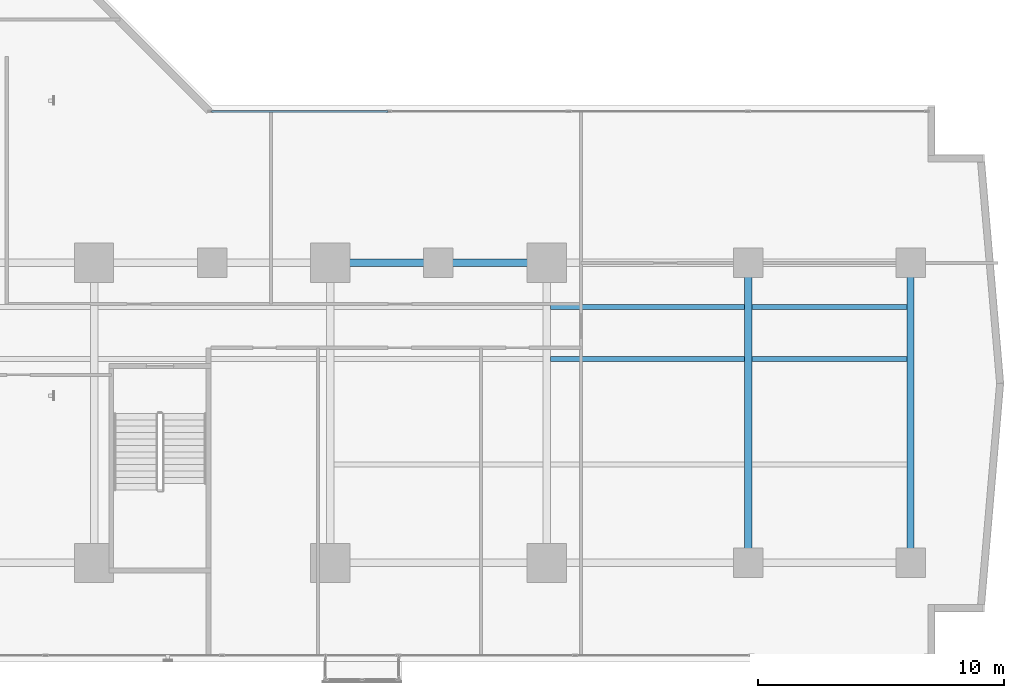
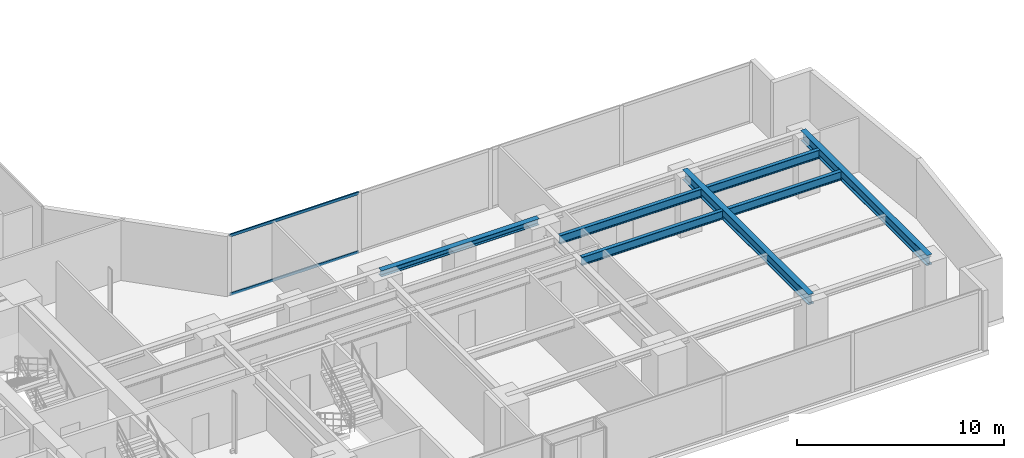
# One storey, part 12 of 30: 7 beams, 2 members, 1 element without a shape of its own.
"""IFC4 building model written with IfcOpenShell, lengths in metres."""

from ifc_helpers import new_model, si_unit, direction, frame, origin, origin_with_axes, origin_2d, place, context, subcontext, project, spatial, hollow_rectangle, i_section, extrude, source, transform, mapped, material, layer, layer_set, material_profile, profile_set, type_object, element, aggregate, save


model = new_model("IFC4")

# Units and contexts
model_context = context("Model", 3, precision=1e-05, world=origin(), true_north=direction((0.0, 1.0)))
body_context = subcontext(model_context, "Body", "Model", "MODEL_VIEW")
ifc_project = project(units=[si_unit("LENGTHUNIT", "METRE"), si_unit("AREAUNIT", "SQUARE_METRE"), si_unit("VOLUMEUNIT", "CUBIC_METRE"), si_unit("PLANEANGLEUNIT", "RADIAN"), si_unit("MASSUNIT", "GRAM", prefix="KILO")], contexts=[model_context])

# Site, building, storey
site_placement = place(None, origin())
site = spatial("IfcSite", under=ifc_project, at=site_placement, CompositionType="ELEMENT")
building_placement = place(site_placement, origin())
building = spatial("IfcBuilding", under=site, at=building_placement, Name="Kolvaren Waterfront Exchange", CompositionType="ELEMENT")
storey_placement = place(building_placement, frame((0.0, 0.0, 71.39990234375)))
storey = spatial("IfcBuildingStorey", under=building, at=storey_placement, Name="L18", CompositionType="ELEMENT", Elevation=71.39990234375)

# Beams
ifc_material_1 = material(Name="Steel S355", Category="steel")
ifc_material_profile_1 = material_profile(ifc_material_1, i_section(OverallWidth=0.300048828125, OverallDepth=0.360107421875, WebThickness=0.012451171875, FlangeThickness=0.0224609375, FilletRadius=0.027099609375, at=origin_2d()), Name="HEB360")
ifc_profile_set_1 = profile_set([ifc_material_profile_1], Name="Steel S355")
beam_type_1 = type_object("IfcBeamType", Name="STR-BM-HEB360", PredefinedType="SPANDREL", material=ifc_profile_set_1)
beam_placement = place(storey_placement, frame((36.800048828125, 17.39990234375, 3.360107421875), z_axis=(1.0, 0.0, 0.0), x_axis=(0.0, 1.0, 0.0)))
element("IfcBeam", 1, at=beam_placement, inside=storey, type_object=beam_type_1, Name="L18 east-arm spandrel N3", PredefinedType="SPANDREL", context=body_context, shape_type="SweptSolid", body=[
    extrude(i_section(OverallWidth=0.300048828125, OverallDepth=0.360107421875, WebThickness=0.012451171875, FlangeThickness=0.0224609375, FilletRadius=0.027099609375, at=origin_2d()), origin(), (0.0, 0.0, 1.0), 8.800048828125),
])
ifc_material_profile_2 = material_profile(ifc_material_1, i_section(OverallWidth=0.300048828125, OverallDepth=0.60009765625, WebThickness=0.015380859375, FlangeThickness=0.030029296875, FilletRadius=0.027099609375, at=origin_2d()), Name="HEB600")
ifc_profile_set_2 = profile_set([ifc_material_profile_2], Name="Steel S355")
beam_type_2 = type_object("IfcBeamType", Name="STR-BM-HEB600", PredefinedType="BEAM", material=ifc_profile_set_2)
for number, where, z_axis, x_axis, name in (
    (2, (53.800048828125, 5.199951171875, 3.239990234375), (0.0, 1.0, 0.0), (-1.0, 0.0, 0.0), "L18 east-arm transverse girder X53"),
    (3, (60.39990234375, 5.199951171875, 3.239990234375), (0.0, 1.0, 0.0), (-1.0, 0.0, 0.0), "L18 east-arm transverse girder X60"),
):
    element("IfcBeam", number, at=place(storey_placement, frame(where, z_axis=z_axis, x_axis=x_axis)), inside=storey, type_object=beam_type_2, Name=name, PredefinedType="BEAM", context=body_context, shape_type="SweptSolid", body=[
        extrude(i_section(OverallWidth=0.300048828125, OverallDepth=0.60009765625, WebThickness=0.015380859375, FlangeThickness=0.030029296875, FilletRadius=0.027099609375, at=origin_2d()), origin(), (0.0, 0.0, 1.0), 12.199951171875),
    ])
ifc_material_profile_3 = material_profile(ifc_material_1, i_section(OverallWidth=0.199951171875, OverallDepth=0.5, WebThickness=0.01025390625, FlangeThickness=0.01611328125, FilletRadius=0.02099609375, at=origin_2d()), Name="IPE500")
ifc_profile_set_3 = profile_set([ifc_material_profile_3], Name="Steel S355")
beam_type_3 = type_object("IfcBeamType", Name="STR-BM-IPE500", PredefinedType="JOIST", material=ifc_profile_set_3)
for number, where, z_axis, x_axis, name in (
    (4, (45.751953125, 13.5, 3.2900390625), (1.0, 0.0, 0.0), (0.0, 1.0, 0.0), "L18 east-arm composite joist 4A"),
    (5, (45.751953125, 15.60009765625, 3.2900390625), (1.0, 0.0, 0.0), (0.0, 1.0, 0.0), "L18 east-arm composite joist 4C"),
):
    element("IfcBeam", number, at=place(storey_placement, frame(where, z_axis=z_axis, x_axis=x_axis)), inside=storey, type_object=beam_type_3, Name=name, PredefinedType="JOIST", context=body_context, shape_type="SweptSolid", body=[
        extrude(i_section(OverallWidth=0.199951171875, OverallDepth=0.5, WebThickness=0.01025390625, FlangeThickness=0.01611328125, FilletRadius=0.02099609375, at=origin_2d()), origin(), (0.0, 0.0, 1.0), 7.89599609375),
    ])
for number, where, z_axis, x_axis, name in (
    (6, (53.951904296875, 13.5, 3.2900390625), (1.0, 0.0, 0.0), (0.0, 1.0, 0.0), "L18 east-arm composite joist 5A"),
    (7, (53.951904296875, 15.60009765625, 3.2900390625), (1.0, 0.0, 0.0), (0.0, 1.0, 0.0), "L18 east-arm composite joist 5C"),
):
    element("IfcBeam", number, at=place(storey_placement, frame(where, z_axis=z_axis, x_axis=x_axis)), inside=storey, type_object=beam_type_3, Name=name, PredefinedType="JOIST", context=body_context, shape_type="SweptSolid", body=[
        extrude(i_section(OverallWidth=0.199951171875, OverallDepth=0.5, WebThickness=0.01025390625, FlangeThickness=0.01611328125, FilletRadius=0.02099609375, at=origin_2d()), origin(), (0.0, 0.0, 1.0), 6.296142578125),
    ])

# Curtain wall, members
ifc_material_2 = material(Name="Anodised bronze aluminium 6063-T6", Category="aluminium")
ifc_layer = layer(ifc_material_2, 0.219970703125, Name="Anodised bronze aluminium 6063-T6")
ifc_layer_set = layer_set([ifc_layer], Name="Anodised bronze aluminium 6063-T6")
curtain_wall_type = type_object("IfcCurtainWallType", Name="ARC-CW-SYS1", PredefinedType="USERDEFINED", material=ifc_layer_set)
curtain_wall_placement = place(storey_placement, origin())
curtain_wall = element("IfcCurtainWall", 8, at=curtain_wall_placement, inside=storey, type_object=curtain_wall_type, Name="L18 stick curtain wall CW1 (CW-L18-EN)", ObjectType="STICK CURTAIN WALL", PredefinedType="USERDEFINED")
ifc_material_3 = material(Name="Anodised aluminium 6063-T6", Category="aluminium")
ifc_material_profile_4 = material_profile(ifc_material_3, hollow_rectangle(XDim=0.074951171875, YDim=0.159912109375, WallThickness=0.00439453125, at=origin_2d()), Name="ALU-TRN-160x75x4.5")
ifc_profile_set_4 = profile_set([ifc_material_profile_4], Name="Anodised aluminium 6063-T6")
member_type = type_object("IfcMemberType", Name="ARC-CWT-160", PredefinedType="USERDEFINED", material=ifc_profile_set_4)
shared_shape = source(origin_with_axes(), body_context, "Body", "SweptSolid", [
    extrude(hollow_rectangle(XDim=0.074951171875, YDim=0.159912109375, WallThickness=0.00439453125, at=origin_2d()), origin(), (0.0, 0.0, 1.0), 7.1826171875),
])
member_1_placement = place(storey_placement, frame((31.969970703125, 23.56005859375, 0.03759765625), z_axis=(1.0, 0.0, 0.0), x_axis=(0.0, 1.0, 0.0)))
member_1 = element("IfcMember", 9, at=member_1_placement, type_object=member_type, Name="CW1 transom 1.1", ObjectType="TRANSOM", PredefinedType="USERDEFINED", context=body_context, shape_type="MappedRepresentation", body=[
    mapped(shared_shape, transform((0.0, 0.0, 0.0), x_axis=(1.0, 0.0, 0.0), y_axis=(0.0, 1.0, 0.0), z_axis=(0.0, 0.0, 1.0), scale=1.0)),
])
member_2_placement = place(storey_placement, frame((31.969970703125, 23.56005859375, 3.502685546875), z_axis=(1.0, 0.0, 0.0), x_axis=(0.0, 1.0, 0.0)))
member_2 = element("IfcMember", 10, at=member_2_placement, type_object=member_type, Name="CW1 transom 1.2", ObjectType="TRANSOM", PredefinedType="USERDEFINED", context=body_context, shape_type="MappedRepresentation", body=[
    mapped(shared_shape, transform((0.0, 0.0, 0.0), x_axis=(1.0, 0.0, 0.0), y_axis=(0.0, 1.0, 0.0), z_axis=(0.0, 0.0, 1.0), scale=1.0)),
])
aggregate(curtain_wall, [member_1, member_2])

save(model, "model.ifc")
